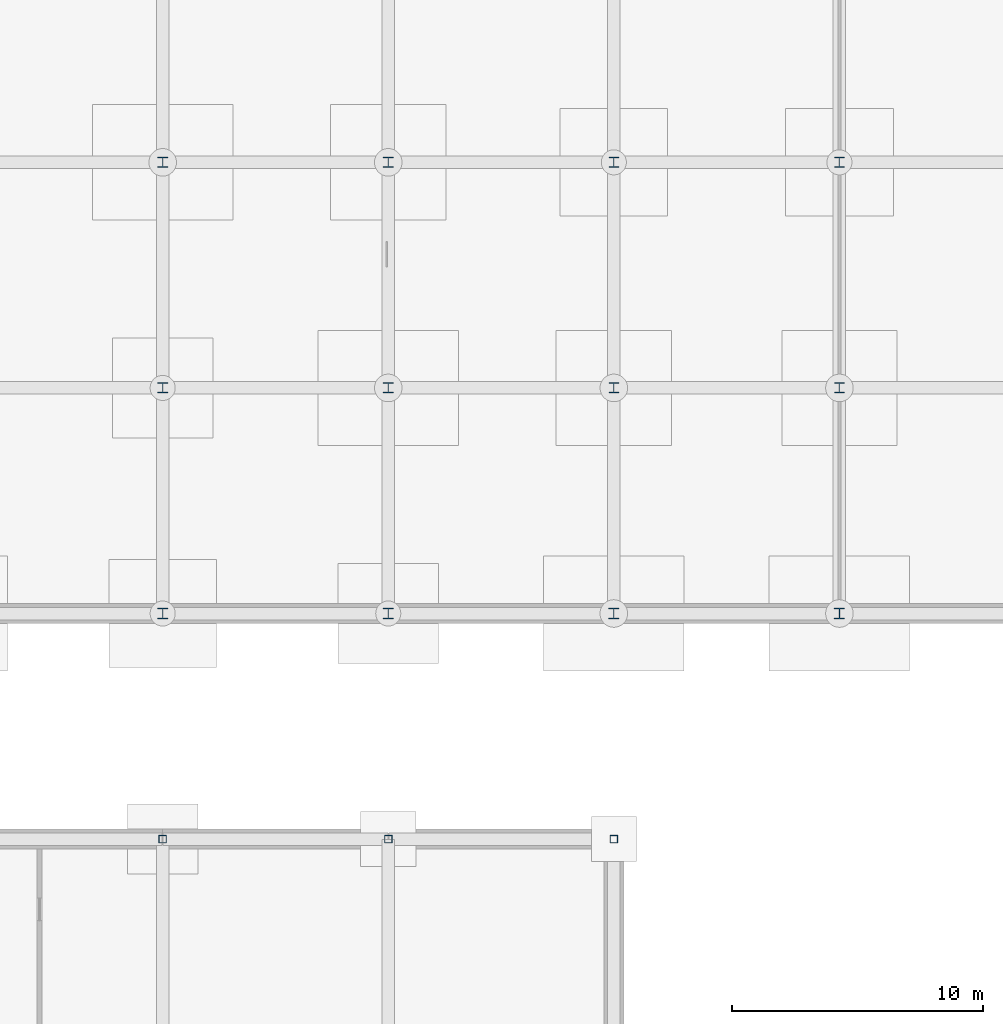
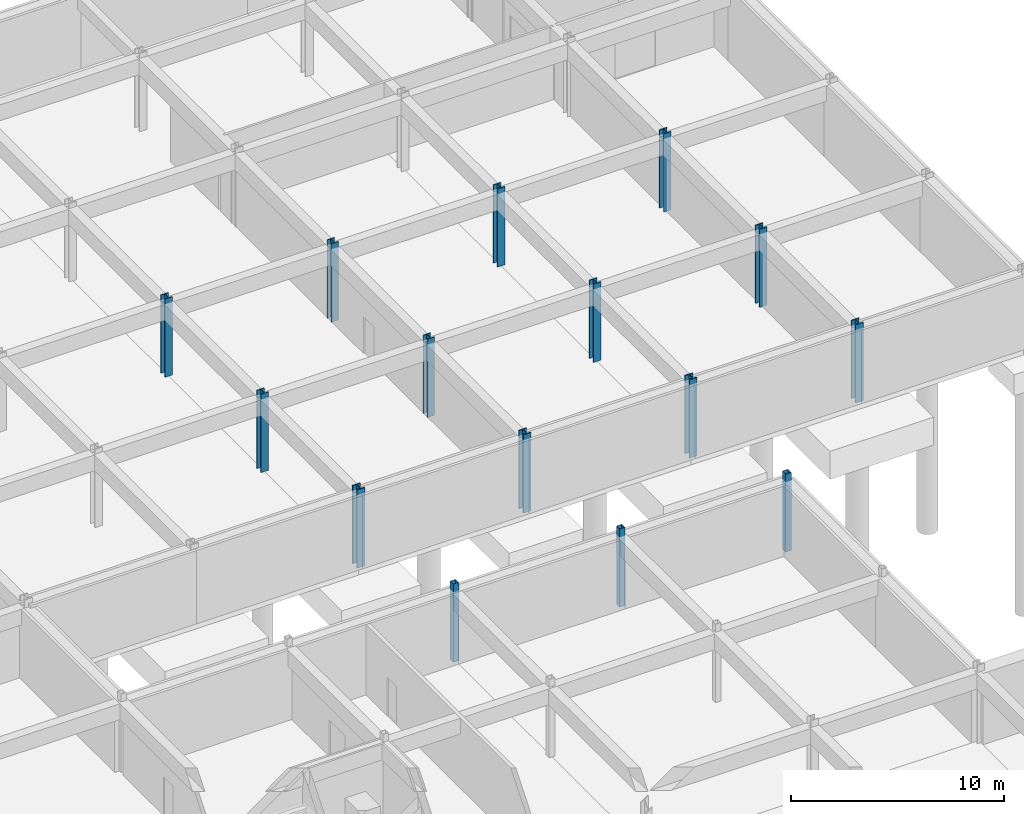
# One storey, part 18 of 41: 15 columns.
"""IFC4 building model written with IfcOpenShell, lengths in metres."""

from ifc_helpers import new_model, si_unit, direction, frame, origin, origin_2d, place, context, subcontext, project, spatial, hollow_rectangle, i_section, extrude, material, material_profile, profile_set, type_object, element, save


model = new_model("IFC4")

# Units and contexts
model_context = context("Model", 3, precision=1e-05, world=origin(), true_north=direction((0.0, 1.0)))
body_context = subcontext(model_context, "Body", "Model", "MODEL_VIEW")
ifc_project = project(units=[si_unit("LENGTHUNIT", "METRE"), si_unit("AREAUNIT", "SQUARE_METRE"), si_unit("VOLUMEUNIT", "CUBIC_METRE"), si_unit("PLANEANGLEUNIT", "RADIAN"), si_unit("MASSUNIT", "GRAM", prefix="KILO")], contexts=[model_context])

# Site, building, storey
site_placement = place(None, origin())
site = spatial("IfcSite", under=ifc_project, at=site_placement, CompositionType="ELEMENT")
building_placement = place(site_placement, origin())
building = spatial("IfcBuilding", under=site, at=building_placement, Name="Palais des Congres Ocreval", CompositionType="ELEMENT")
storey_placement = place(building_placement, frame((0.0, 0.0, -8.9599609375)))
storey = spatial("IfcBuildingStorey", under=building, at=storey_placement, Name="B2", CompositionType="ELEMENT", Elevation=-8.9599609375)

# Columns
ifc_material_1 = material(Name="Steel S355", Category="steel")
ifc_material_profile_1 = material_profile(ifc_material_1, i_section(OverallWidth=0.406005859375, OverallDepth=0.416015625, WebThickness=0.0224609375, FlangeThickness=0.0380859375, at=origin_2d()), Name="HD 400x382")
ifc_profile_set_1 = profile_set([ifc_material_profile_1], Name="Steel S355")
column_type_1 = type_object("IfcColumnType", Name="Column HD 400x382 Steel S355", PredefinedType="COLUMN", material=ifc_profile_set_1)
for number, where, z_axis, x_axis, name in (
    (1, (126.0, 81.0, 0.0), (0.0, 0.0, 1.0), (1.0, 0.0, 0.0), "Column C03 B2"),
    (2, (126.0, 90.0, 0.0), (0.0, 0.0, 1.0), (1.0, 0.0, 0.0), "Column C03 B2"),
    (3, (135.0, 81.0, 0.0), (0.0, 0.0, 1.0), (1.0, 0.0, 0.0), "Column C03 B2"),
    (4, (135.0, 90.0, 0.0), (0.0, 0.0, 1.0), (1.0, 0.0, 0.0), "Column C03 B2"),
    (5, (144.0, 81.0, 0.0), (0.0, 0.0, 1.0), (1.0, 0.0, 0.0), "Column C03 B2"),
    (6, (144.0, 90.0, 0.0), (0.0, 0.0, 1.0), (1.0, 0.0, 0.0), "Column C03 B2"),
    (7, (153.0, 81.0, 0.0), (0.0, 0.0, 1.0), (1.0, 0.0, 0.0), "Column C03 B2"),
    (8, (153.0, 90.0, 0.0), (0.0, 0.0, 1.0), (1.0, 0.0, 0.0), "Column C03 B2"),
):
    element("IfcColumn", number, at=place(storey_placement, frame(where, z_axis=z_axis, x_axis=x_axis)), inside=storey, type_object=column_type_1, Name=name, PredefinedType="COLUMN", context=body_context, shape_type="SweptSolid", body=[
        extrude(i_section(OverallWidth=0.406005859375, OverallDepth=0.416015625, WebThickness=0.0224609375, FlangeThickness=0.0380859375, at=origin_2d()), origin(), (0.0, 0.0, 1.0), 4.47998046875),
    ])
ifc_material_2 = material(Name="Steel S460", Category="steel")
ifc_material_profile_2 = material_profile(ifc_material_2, i_section(OverallWidth=0.41796875, OverallDepth=0.455078125, WebThickness=0.031982421875, FlangeThickness=0.055908203125, at=origin_2d()), Name="HD 400x551")
ifc_profile_set_2 = profile_set([ifc_material_profile_2], Name="Steel S460")
column_type_2 = type_object("IfcColumnType", Name="Column HD 400x551 Steel S460", PredefinedType="COLUMN", material=ifc_profile_set_2)
for number, where, z_axis, x_axis, name in (
    (9, (126.0, 72.0, 0.0), (0.0, 0.0, 1.0), (1.0, 0.0, 0.0), "Column C01 B2"),
    (10, (135.0, 72.0, 0.0), (0.0, 0.0, 1.0), (1.0, 0.0, 0.0), "Column C01 B2"),
    (11, (144.0, 72.0, 0.0), (0.0, 0.0, 1.0), (1.0, 0.0, 0.0), "Column C01 B2"),
    (12, (153.0, 72.0, 0.0), (0.0, 0.0, 1.0), (1.0, 0.0, 0.0), "Column C01 B2"),
):
    element("IfcColumn", number, at=place(storey_placement, frame(where, z_axis=z_axis, x_axis=x_axis)), inside=storey, type_object=column_type_2, Name=name, PredefinedType="COLUMN", context=body_context, shape_type="SweptSolid", body=[
        extrude(i_section(OverallWidth=0.41796875, OverallDepth=0.455078125, WebThickness=0.031982421875, FlangeThickness=0.055908203125, at=origin_2d()), origin(), (0.0, 0.0, 1.0), 4.47998046875),
    ])
ifc_material_profile_3 = material_profile(ifc_material_1, hollow_rectangle(XDim=0.300048828125, YDim=0.300048828125, WallThickness=0.012451171875, at=origin_2d()), Name="RHS 300x300x12.5")
ifc_profile_set_3 = profile_set([ifc_material_profile_3], Name="Steel S355")
column_type_3 = type_object("IfcColumnType", Name="Column RHS 300x300x12.5 Steel S355", PredefinedType="COLUMN", material=ifc_profile_set_3)
for number, where, z_axis, x_axis, name in (
    (13, (126.0, 63.0, 0.0), (0.0, 0.0, 1.0), (1.0, 0.0, 0.0), "Column C19 B2"),
    (14, (135.0, 63.0, 0.0), (0.0, 0.0, 1.0), (1.0, 0.0, 0.0), "Column C19 B2"),
    (15, (144.0, 63.0, 0.0), (0.0, 0.0, 1.0), (1.0, 0.0, 0.0), "Column C19 B2"),
):
    element("IfcColumn", number, at=place(storey_placement, frame(where, z_axis=z_axis, x_axis=x_axis)), inside=storey, type_object=column_type_3, Name=name, PredefinedType="COLUMN", context=body_context, shape_type="SweptSolid", body=[
        extrude(hollow_rectangle(XDim=0.300048828125, YDim=0.300048828125, WallThickness=0.012451171875, at=origin_2d()), origin(), (0.0, 0.0, 1.0), 4.47998046875),
    ])

save(model, "model.ifc")
